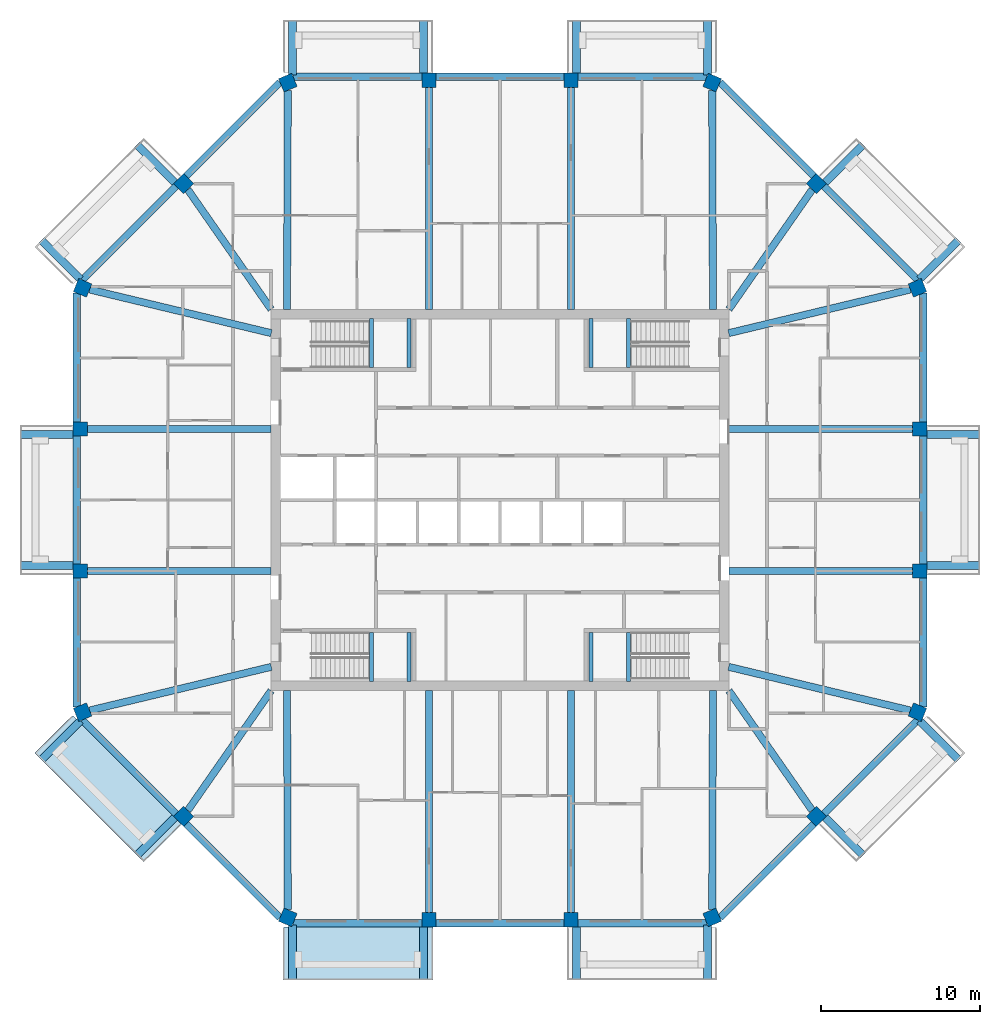
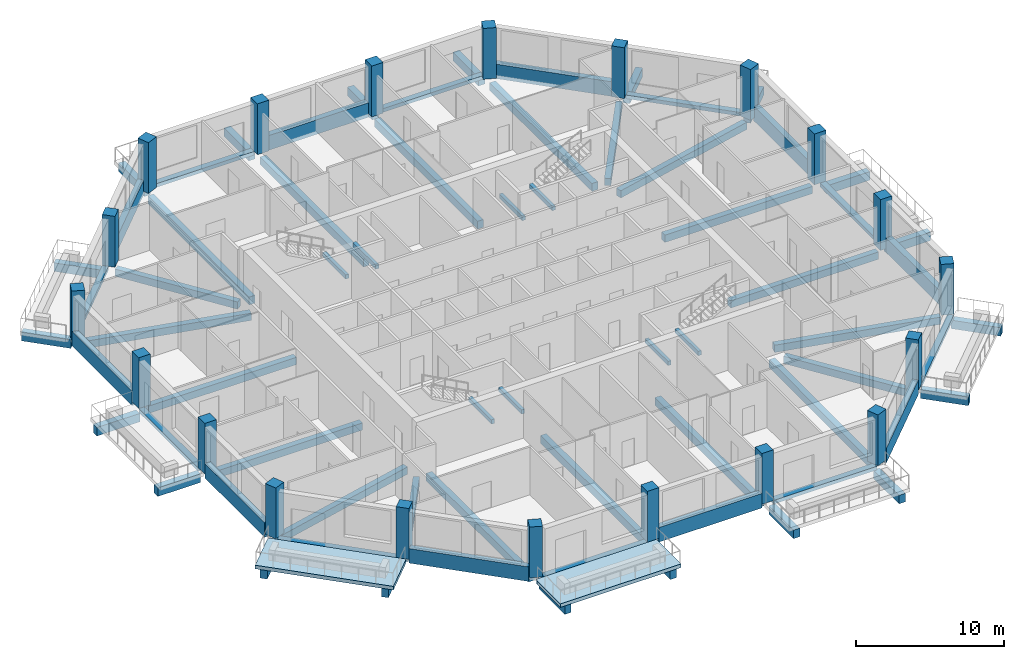
# One storey, part 1 of 12: 68 beams, 20 columns, 2 slabs.
"""IFC4 building model written with IfcOpenShell, lengths in metres."""

from ifc_helpers import new_model, si_unit, direction, frame, origin, origin_2d, place, context, subcontext, project, spatial, polyline, rectangle, outline, extrude, material, layer, layer_set, material_profile, profile_set, type_object, element, save


model = new_model("IFC4")

# Units and contexts
model_context = context("Model", 3, precision=1e-05, world=origin(), true_north=direction((0.0, 1.0)))
body_context = subcontext(model_context, "Body", "Model", "MODEL_VIEW")
ifc_project = project(units=[si_unit("LENGTHUNIT", "METRE"), si_unit("AREAUNIT", "SQUARE_METRE"), si_unit("VOLUMEUNIT", "CUBIC_METRE"), si_unit("PLANEANGLEUNIT", "RADIAN"), si_unit("MASSUNIT", "GRAM", prefix="KILO")], contexts=[model_context])

# Site, building, storey
site_placement = place(None, origin())
site = spatial("IfcSite", under=ifc_project, at=site_placement, CompositionType="ELEMENT")
building_placement = place(site_placement, origin())
building = spatial("IfcBuilding", under=site, at=building_placement, Name="Msitu Wima Residences", CompositionType="ELEMENT")
storey_placement = place(building_placement, frame((0.0, 0.0, 247.5)))
storey = spatial("IfcBuildingStorey", under=building, at=storey_placement, Name="L57", CompositionType="ELEMENT", Elevation=247.5)

# Columns
ifc_material_1 = material(Name="Concrete C50/60", Category="concrete")
ifc_material_profile_1 = material_profile(ifc_material_1, rectangle(XDim=0.89990234375, YDim=0.89990234375, at=origin_2d()), Name="RC 900x900")
ifc_profile_set_1 = profile_set([ifc_material_profile_1], Name="Concrete C50/60")
column_type = type_object("IfcColumnType", Name="Column RC 900x900 Concrete C50/60", PredefinedType="COLUMN", material=ifc_profile_set_1)
for number, where, z_axis, x_axis, name in (
    (1, (26.261962890625, -13.3486328125, 0.0), (0.0, 0.0, 1.0), (0.382683496864, 0.923879505795, 0.0), "Column L57 C-E0"),
    (2, (26.39990234375, -4.46875, 0.0), (0.0, 0.0, 1.0), (0.0, 1.0, 0.0), "Column L57 C-E1"),
    (3, (26.39990234375, 4.46875, 0.0), (0.0, 0.0, 1.0), (0.0, 1.0, 0.0), "Column L57 C-E2"),
    (4, (26.261962890625, 13.3486328125, 0.0), (0.0, 0.0, 1.0), (-0.382683496864, 0.923879505795, 0.0), "Column L57 C-NE0"),
    (5, (19.90283203125, 19.90283203125, 0.0), (0.0, 0.0, 1.0), (-0.707106781187, 0.707106781187, 0.0), "Column L57 C-NE1"),
    (6, (13.3486328125, 26.261962890625, 0.0), (0.0, 0.0, 1.0), (-0.923879505795, 0.382683496864, 0.0), "Column L57 C-N0"),
    (7, (4.46875, 26.39990234375, 0.0), (0.0, 0.0, 1.0), (-1.0, 0.0, 0.0), "Column L57 C-N1"),
    (8, (-4.46875, 26.39990234375, 0.0), (0.0, 0.0, 1.0), (-1.0, 0.0, 0.0), "Column L57 C-N2"),
    (9, (-13.3486328125, 26.261962890625, 0.0), (0.0, 0.0, 1.0), (-0.923879505795, -0.382683496864, 0.0), "Column L57 C-NW0"),
    (10, (-19.90283203125, 19.90283203125, 0.0), (0.0, 0.0, 1.0), (-0.707106781187, -0.707106781187, 0.0), "Column L57 C-NW1"),
    (11, (-26.261962890625, 13.3486328125, 0.0), (0.0, 0.0, 1.0), (-0.382683496864, -0.923879505795, 0.0), "Column L57 C-W0"),
    (12, (-26.39990234375, 4.46875, 0.0), (0.0, 0.0, 1.0), (0.0, -1.0, 0.0), "Column L57 C-W1"),
    (13, (-26.39990234375, -4.46875, 0.0), (0.0, 0.0, 1.0), (0.0, -1.0, 0.0), "Column L57 C-W2"),
    (14, (-26.261962890625, -13.3486328125, 0.0), (0.0, 0.0, 1.0), (0.382683496864, -0.923879505795, 0.0), "Column L57 C-SW0"),
    (15, (-19.90283203125, -19.90283203125, 0.0), (0.0, 0.0, 1.0), (0.707106781187, -0.707106781187, 0.0), "Column L57 C-SW1"),
    (16, (-13.3486328125, -26.261962890625, 0.0), (0.0, 0.0, 1.0), (0.923879505795, -0.382683496864, 0.0), "Column L57 C-S0"),
    (17, (-4.46875, -26.39990234375, 0.0), (0.0, 0.0, 1.0), (1.0, 0.0, 0.0), "Column L57 C-S1"),
    (18, (4.46875, -26.39990234375, 0.0), (0.0, 0.0, 1.0), (1.0, 0.0, 0.0), "Column L57 C-S2"),
    (19, (13.3486328125, -26.261962890625, 0.0), (0.0, 0.0, 1.0), (0.923879505795, 0.382683496864, 0.0), "Column L57 C-SE0"),
    (20, (19.90283203125, -19.90283203125, 0.0), (0.0, 0.0, 1.0), (0.707106781187, 0.707106781187, 0.0), "Column L57 C-SE1"),
):
    element("IfcColumn", number, at=place(storey_placement, frame(where, z_axis=z_axis, x_axis=x_axis)), inside=storey, type_object=column_type, Name=name, PredefinedType="COLUMN", context=body_context, shape_type="SweptSolid", body=[
        extrude(rectangle(XDim=0.89990234375, YDim=0.89990234375, at=origin_2d()), origin(), (0.0, 0.0, 1.0), 4.199951171875),
    ])

# Beams
ifc_material_profile_2 = material_profile(ifc_material_1, rectangle(XDim=0.449951171875, YDim=0.60009765625, at=origin_2d()), Name="RC 450x600")
ifc_profile_set_2 = profile_set([ifc_material_profile_2], Name="Concrete C50/60")
beam_type_1 = type_object("IfcBeamType", Name="Beam RC 450x600 Concrete C50/60", PredefinedType="BEAM", material=ifc_profile_set_2)
beam_1_placement = place(storey_placement, frame((25.819091796875, -13.242431640625, -0.550048828125), z_axis=(-0.972353359268, 0.233514335148, 0.0), x_axis=(-0.233514335148, -0.972353359268, 0.0)))
element("IfcBeam", 21, at=beam_1_placement, inside=storey, type_object=beam_type_1, Name="Beam L57 C-E0", PredefinedType="BEAM", context=body_context, shape_type="SweptSolid", body=[
    extrude(rectangle(XDim=0.449951171875, YDim=0.60009765625, at=origin_2d()), origin(), (0.0, 0.0, 1.0), 11.755615234375),
])
for number, where, z_axis, x_axis, name in (
    (22, (25.949951171875, -4.46875, -0.550048828125), (-1.0, 0.0, 0.0), (0.0, -1.0, 0.0), "Beam L57 C-E1"),
    (23, (25.949951171875, 4.46875, -0.550048828125), (-1.0, 0.0, 0.0), (0.0, -1.0, 0.0), "Beam L57 C-E2"),
):
    element("IfcBeam", number, at=place(storey_placement, frame(where, z_axis=z_axis, x_axis=x_axis)), inside=storey, type_object=beam_type_1, Name=name, PredefinedType="BEAM", context=body_context, shape_type="SweptSolid", body=[
        extrude(rectangle(XDim=0.449951171875, YDim=0.60009765625, at=origin_2d()), origin(), (0.0, 0.0, 1.0), 11.550048828125),
    ])
beam_2_placement = place(storey_placement, frame((25.819091796875, 13.242431640625, -0.550048828125), z_axis=(-0.972353359268, -0.233514335148, 0.0), x_axis=(0.233514335148, -0.972353359268, 0.0)))
element("IfcBeam", 24, at=beam_2_placement, inside=storey, type_object=beam_type_1, Name="Beam L57 C-NE0", PredefinedType="BEAM", context=body_context, shape_type="SweptSolid", body=[
    extrude(rectangle(XDim=0.449951171875, YDim=0.60009765625, at=origin_2d()), origin(), (0.0, 0.0, 1.0), 11.755615234375),
])
for number, where, z_axis, x_axis, name in (
    (25, (19.6416015625, 19.52783203125, -0.550048828125), (-0.571427822633, -0.820652328042, 0.0), (0.820652328042, -0.571427822633, 0.0), "Beam L57 C-NE1"),
    (26, (-19.6416015625, 19.52783203125, -0.550048828125), (0.571427822633, -0.820652328042, 0.0), (0.820652328042, 0.571427822633, 0.0), "Beam L57 C-NW1"),
):
    element("IfcBeam", number, at=place(storey_placement, frame(where, z_axis=z_axis, x_axis=x_axis)), inside=storey, type_object=beam_type_1, Name=name, PredefinedType="BEAM", context=body_context, shape_type="SweptSolid", body=[
        extrude(rectangle(XDim=0.449951171875, YDim=0.60009765625, at=origin_2d()), origin(), (0.0, 0.0, 1.0), 9.173095703125),
    ])
beam_3_placement = place(storey_placement, frame((-25.819091796875, 13.242431640625, -0.550048828125), z_axis=(0.972353359268, -0.233514335148, 0.0), x_axis=(0.233514335148, 0.972353359268, 0.0)))
element("IfcBeam", 27, at=beam_3_placement, inside=storey, type_object=beam_type_1, Name="Beam L57 C-W0", PredefinedType="BEAM", context=body_context, shape_type="SweptSolid", body=[
    extrude(rectangle(XDim=0.449951171875, YDim=0.60009765625, at=origin_2d()), origin(), (0.0, 0.0, 1.0), 11.755615234375),
])
for number, where, z_axis, x_axis, name in (
    (28, (-25.949951171875, 4.46875, -0.550048828125), (1.0, 0.0, 0.0), (0.0, 1.0, 0.0), "Beam L57 C-W1"),
    (29, (-25.949951171875, -4.46875, -0.550048828125), (1.0, 0.0, 0.0), (0.0, 1.0, 0.0), "Beam L57 C-W2"),
):
    element("IfcBeam", number, at=place(storey_placement, frame(where, z_axis=z_axis, x_axis=x_axis)), inside=storey, type_object=beam_type_1, Name=name, PredefinedType="BEAM", context=body_context, shape_type="SweptSolid", body=[
        extrude(rectangle(XDim=0.449951171875, YDim=0.60009765625, at=origin_2d()), origin(), (0.0, 0.0, 1.0), 11.550048828125),
    ])
beam_4_placement = place(storey_placement, frame((-25.819091796875, -13.242431640625, -0.550048828125), z_axis=(0.972353359268, 0.233514335148, 0.0), x_axis=(-0.233514335148, 0.972353359268, 0.0)))
element("IfcBeam", 30, at=beam_4_placement, inside=storey, type_object=beam_type_1, Name="Beam L57 C-SW0", PredefinedType="BEAM", context=body_context, shape_type="SweptSolid", body=[
    extrude(rectangle(XDim=0.449951171875, YDim=0.60009765625, at=origin_2d()), origin(), (0.0, 0.0, 1.0), 11.755615234375),
])
for number, where, z_axis, x_axis, name in (
    (31, (-19.6416015625, -19.52783203125, -0.550048828125), (0.571427822633, 0.820652328042, 0.0), (-0.820652328042, 0.571427822633, 0.0), "Beam L57 C-SW1"),
    (32, (19.6416015625, -19.52783203125, -0.550048828125), (-0.571427822633, 0.820652328042, 0.0), (-0.820652328042, -0.571427822633, 0.0), "Beam L57 C-SE1"),
):
    element("IfcBeam", number, at=place(storey_placement, frame(where, z_axis=z_axis, x_axis=x_axis)), inside=storey, type_object=beam_type_1, Name=name, PredefinedType="BEAM", context=body_context, shape_type="SweptSolid", body=[
        extrude(rectangle(XDim=0.449951171875, YDim=0.60009765625, at=origin_2d()), origin(), (0.0, 0.0, 1.0), 9.173095703125),
    ])
ifc_material_profile_3 = material_profile(ifc_material_1, rectangle(XDim=0.449951171875, YDim=0.64990234375, at=origin_2d()), Name="RC 450x650")
ifc_profile_set_3 = profile_set([ifc_material_profile_3], Name="Concrete C50/60")
beam_type_2 = type_object("IfcBeamType", Name="Beam RC 450x650 Concrete C50/60", PredefinedType="BEAM", material=ifc_profile_set_3)
beam_5_placement = place(storey_placement, frame((13.3505859375, 25.774169921875, -0.574951171875), z_axis=(0.003594933206, -0.999993538207, 0.0), x_axis=(0.999993538207, 0.003594933206, 0.0)))
element("IfcBeam", 33, at=beam_5_placement, inside=storey, type_object=beam_type_2, Name="Beam L57 C-N0", PredefinedType="BEAM", context=body_context, shape_type="SweptSolid", body=[
    extrude(rectangle(XDim=0.449951171875, YDim=0.64990234375, at=origin_2d()), origin(), (0.0, 0.0, 1.0), 13.7861328125),
])
for number, where, z_axis, x_axis, name in (
    (34, (4.46875, 25.949951171875, -0.574951171875), (0.0, -1.0, 0.0), (1.0, 0.0, 0.0), "Beam L57 C-N1"),
    (35, (-4.46875, 25.949951171875, -0.574951171875), (0.0, -1.0, 0.0), (1.0, 0.0, 0.0), "Beam L57 C-N2"),
):
    element("IfcBeam", number, at=place(storey_placement, frame(where, z_axis=z_axis, x_axis=x_axis)), inside=storey, type_object=beam_type_2, Name=name, PredefinedType="BEAM", context=body_context, shape_type="SweptSolid", body=[
        extrude(rectangle(XDim=0.449951171875, YDim=0.64990234375, at=origin_2d()), origin(), (0.0, 0.0, 1.0), 13.949951171875),
    ])
for number, where, z_axis, x_axis, name in (
    (36, (-13.3505859375, 25.774169921875, -0.574951171875), (-0.003594933206, -0.999993538207, 0.0), (0.999993538207, -0.003594933206, 0.0), "Beam L57 C-NW0"),
    (37, (-13.3505859375, -25.774169921875, -0.574951171875), (-0.003594933206, 0.999993538207, 0.0), (-0.999993538207, -0.003594933206, 0.0), "Beam L57 C-S0"),
):
    element("IfcBeam", number, at=place(storey_placement, frame(where, z_axis=z_axis, x_axis=x_axis)), inside=storey, type_object=beam_type_2, Name=name, PredefinedType="BEAM", context=body_context, shape_type="SweptSolid", body=[
        extrude(rectangle(XDim=0.449951171875, YDim=0.64990234375, at=origin_2d()), origin(), (0.0, 0.0, 1.0), 13.7861328125),
    ])
for number, where, z_axis, x_axis, name in (
    (38, (-4.46875, -25.949951171875, -0.574951171875), (0.0, 1.0, 0.0), (-1.0, 0.0, 0.0), "Beam L57 C-S1"),
    (39, (4.46875, -25.949951171875, -0.574951171875), (0.0, 1.0, 0.0), (-1.0, 0.0, 0.0), "Beam L57 C-S2"),
):
    element("IfcBeam", number, at=place(storey_placement, frame(where, z_axis=z_axis, x_axis=x_axis)), inside=storey, type_object=beam_type_2, Name=name, PredefinedType="BEAM", context=body_context, shape_type="SweptSolid", body=[
        extrude(rectangle(XDim=0.449951171875, YDim=0.64990234375, at=origin_2d()), origin(), (0.0, 0.0, 1.0), 13.949951171875),
    ])
beam_6_placement = place(storey_placement, frame((13.3505859375, -25.774169921875, -0.574951171875), z_axis=(0.003594933206, 0.999993538207, 0.0), x_axis=(-0.999993538207, 0.003594933206, 0.0)))
element("IfcBeam", 40, at=beam_6_placement, inside=storey, type_object=beam_type_2, Name="Beam L57 C-SE0", PredefinedType="BEAM", context=body_context, shape_type="SweptSolid", body=[
    extrude(rectangle(XDim=0.449951171875, YDim=0.64990234375, at=origin_2d()), origin(), (0.0, 0.0, 1.0), 13.7861328125),
])
ifc_material_profile_4 = material_profile(ifc_material_1, rectangle(XDim=0.5, YDim=0.699951171875, at=origin_2d()), Name="RC 500x700")
ifc_profile_set_4 = profile_set([ifc_material_profile_4], Name="Concrete C50/60")
beam_type_3 = type_object("IfcBeamType", Name="Cantilever beam RC 500x700 Concrete C50/60", PredefinedType="BEAM", material=ifc_profile_set_4)
for number, where, z_axis, x_axis, name in (
    (41, (26.85009765625, -4.11865234375, -0.64990234375), (1.0, 0.0, 0.0), (0.0, 1.0, 0.0), "Cantilever beam L57 BA-E1 A"),
    (42, (26.85009765625, 4.11865234375, -0.64990234375), (1.0, 0.0, 0.0), (0.0, 1.0, 0.0), "Cantilever beam L57 BA-E1 B"),
):
    element("IfcBeam", number, at=place(storey_placement, frame(where, z_axis=z_axis, x_axis=x_axis)), inside=storey, type_object=beam_type_3, Name=name, PredefinedType="BEAM", context=body_context, shape_type="SweptSolid", body=[
        extrude(rectangle(XDim=0.5, YDim=0.699951171875, at=origin_2d()), origin(), (0.0, 0.0, 1.0), 3.349853515625),
    ])
beam_7_placement = place(storey_placement, frame((26.386474609375, 13.887451171875, -0.64990234375), z_axis=(0.707141968506, 0.707071592116, 0.0), x_axis=(-0.707071592116, 0.707141968506, 0.0)))
element("IfcBeam", 43, at=beam_7_placement, inside=storey, type_object=beam_type_3, Name="Cantilever beam L57 BA-NE0 A", PredefinedType="BEAM", context=body_context, shape_type="SweptSolid", body=[
    extrude(rectangle(XDim=0.5, YDim=0.699951171875, at=origin_2d()), origin(), (0.0, 0.0, 1.0), 3.468994140625),
])
beam_8_placement = place(storey_placement, frame((20.46875, 19.9736328125, -0.64990234375), z_axis=(0.707070340836, 0.707143219659, 0.0), x_axis=(-0.707143219659, 0.707070340836, 0.0)))
element("IfcBeam", 44, at=beam_8_placement, inside=storey, type_object=beam_type_3, Name="Cantilever beam L57 BA-NE0 B", PredefinedType="BEAM", context=body_context, shape_type="SweptSolid", body=[
    extrude(rectangle(XDim=0.5, YDim=0.699951171875, at=origin_2d()), origin(), (0.0, 0.0, 1.0), 3.349853515625),
])
beam_9_placement = place(storey_placement, frame((13.055908203125, 26.73095703125, -0.64990234375), z_axis=(0.0, 1.0, 0.0), x_axis=(-1.0, 0.0, 0.0)))
element("IfcBeam", 45, at=beam_9_placement, inside=storey, type_object=beam_type_3, Name="Cantilever beam L57 BA-N0 A", PredefinedType="BEAM", context=body_context, shape_type="SweptSolid", body=[
    extrude(rectangle(XDim=0.5, YDim=0.699951171875, at=origin_2d()), origin(), (0.0, 0.0, 1.0), 3.468994140625),
])
for number, where, z_axis, x_axis, name in (
    (46, (4.818603515625, 26.85009765625, -0.64990234375), (0.0, 1.0, 0.0), (-1.0, 0.0, 0.0), "Cantilever beam L57 BA-N0 B"),
    (47, (-4.818603515625, 26.85009765625, -0.64990234375), (0.0, 1.0, 0.0), (-1.0, 0.0, 0.0), "Cantilever beam L57 BA-N2 A"),
):
    element("IfcBeam", number, at=place(storey_placement, frame(where, z_axis=z_axis, x_axis=x_axis)), inside=storey, type_object=beam_type_3, Name=name, PredefinedType="BEAM", context=body_context, shape_type="SweptSolid", body=[
        extrude(rectangle(XDim=0.5, YDim=0.699951171875, at=origin_2d()), origin(), (0.0, 0.0, 1.0), 3.349853515625),
    ])
beam_10_placement = place(storey_placement, frame((-13.055908203125, 26.73095703125, -0.64990234375), z_axis=(0.0, 1.0, 0.0), x_axis=(-1.0, 0.0, 0.0)))
element("IfcBeam", 48, at=beam_10_placement, inside=storey, type_object=beam_type_3, Name="Cantilever beam L57 BA-N2 B", PredefinedType="BEAM", context=body_context, shape_type="SweptSolid", body=[
    extrude(rectangle(XDim=0.5, YDim=0.699951171875, at=origin_2d()), origin(), (0.0, 0.0, 1.0), 3.468994140625),
])
beam_11_placement = place(storey_placement, frame((-20.46875, 19.9736328125, -0.64990234375), z_axis=(-0.707070340836, 0.707143219659, 0.0), x_axis=(-0.707143219659, -0.707070340836, 0.0)))
element("IfcBeam", 49, at=beam_11_placement, inside=storey, type_object=beam_type_3, Name="Cantilever beam L57 BA-NW1 A", PredefinedType="BEAM", context=body_context, shape_type="SweptSolid", body=[
    extrude(rectangle(XDim=0.5, YDim=0.699951171875, at=origin_2d()), origin(), (0.0, 0.0, 1.0), 3.349853515625),
])
beam_12_placement = place(storey_placement, frame((-26.386474609375, 13.887451171875, -0.64990234375), z_axis=(-0.707141968506, 0.707071592116, 0.0), x_axis=(-0.707071592116, -0.707141968506, 0.0)))
element("IfcBeam", 50, at=beam_12_placement, inside=storey, type_object=beam_type_3, Name="Cantilever beam L57 BA-NW1 B", PredefinedType="BEAM", context=body_context, shape_type="SweptSolid", body=[
    extrude(rectangle(XDim=0.5, YDim=0.699951171875, at=origin_2d()), origin(), (0.0, 0.0, 1.0), 3.468994140625),
])
for number, where, z_axis, x_axis, name in (
    (51, (-26.85009765625, 4.11865234375, -0.64990234375), (-1.0, 0.0, 0.0), (0.0, -1.0, 0.0), "Cantilever beam L57 BA-W1 A"),
    (52, (-26.85009765625, -4.11865234375, -0.64990234375), (-1.0, 0.0, 0.0), (0.0, -1.0, 0.0), "Cantilever beam L57 BA-W1 B"),
):
    element("IfcBeam", number, at=place(storey_placement, frame(where, z_axis=z_axis, x_axis=x_axis)), inside=storey, type_object=beam_type_3, Name=name, PredefinedType="BEAM", context=body_context, shape_type="SweptSolid", body=[
        extrude(rectangle(XDim=0.5, YDim=0.699951171875, at=origin_2d()), origin(), (0.0, 0.0, 1.0), 3.349853515625),
    ])
beam_13_placement = place(storey_placement, frame((-26.386474609375, -13.887451171875, -0.64990234375), z_axis=(-0.707141968506, -0.707071592116, 0.0), x_axis=(0.707071592116, -0.707141968506, 0.0)))
element("IfcBeam", 53, at=beam_13_placement, inside=storey, type_object=beam_type_3, Name="Cantilever beam L57 BA-SW0 A", PredefinedType="BEAM", context=body_context, shape_type="SweptSolid", body=[
    extrude(rectangle(XDim=0.5, YDim=0.699951171875, at=origin_2d()), origin(), (0.0, 0.0, 1.0), 3.468994140625),
])
beam_14_placement = place(storey_placement, frame((-20.46875, -19.9736328125, -0.64990234375), z_axis=(-0.707070340836, -0.707143219659, 0.0), x_axis=(0.707143219659, -0.707070340836, 0.0)))
element("IfcBeam", 54, at=beam_14_placement, inside=storey, type_object=beam_type_3, Name="Cantilever beam L57 BA-SW0 B", PredefinedType="BEAM", context=body_context, shape_type="SweptSolid", body=[
    extrude(rectangle(XDim=0.5, YDim=0.699951171875, at=origin_2d()), origin(), (0.0, 0.0, 1.0), 3.349853515625),
])
beam_15_placement = place(storey_placement, frame((-13.055908203125, -26.73095703125, -0.64990234375), z_axis=(0.0, -1.0, 0.0), x_axis=(1.0, 0.0, 0.0)))
element("IfcBeam", 55, at=beam_15_placement, inside=storey, type_object=beam_type_3, Name="Cantilever beam L57 BA-S0 A", PredefinedType="BEAM", context=body_context, shape_type="SweptSolid", body=[
    extrude(rectangle(XDim=0.5, YDim=0.699951171875, at=origin_2d()), origin(), (0.0, 0.0, 1.0), 3.468994140625),
])
for number, where, z_axis, x_axis, name in (
    (56, (-4.818603515625, -26.85009765625, -0.64990234375), (0.0, -1.0, 0.0), (1.0, 0.0, 0.0), "Cantilever beam L57 BA-S0 B"),
    (57, (4.818603515625, -26.85009765625, -0.64990234375), (0.0, -1.0, 0.0), (1.0, 0.0, 0.0), "Cantilever beam L57 BA-S2 A"),
):
    element("IfcBeam", number, at=place(storey_placement, frame(where, z_axis=z_axis, x_axis=x_axis)), inside=storey, type_object=beam_type_3, Name=name, PredefinedType="BEAM", context=body_context, shape_type="SweptSolid", body=[
        extrude(rectangle(XDim=0.5, YDim=0.699951171875, at=origin_2d()), origin(), (0.0, 0.0, 1.0), 3.349853515625),
    ])
beam_16_placement = place(storey_placement, frame((13.055908203125, -26.73095703125, -0.64990234375), z_axis=(0.0, -1.0, 0.0), x_axis=(1.0, 0.0, 0.0)))
element("IfcBeam", 58, at=beam_16_placement, inside=storey, type_object=beam_type_3, Name="Cantilever beam L57 BA-S2 B", PredefinedType="BEAM", context=body_context, shape_type="SweptSolid", body=[
    extrude(rectangle(XDim=0.5, YDim=0.699951171875, at=origin_2d()), origin(), (0.0, 0.0, 1.0), 3.468994140625),
])
beam_17_placement = place(storey_placement, frame((20.46875, -19.9736328125, -0.64990234375), z_axis=(0.707070340836, -0.707143219659, 0.0), x_axis=(0.707143219659, 0.707070340836, 0.0)))
element("IfcBeam", 59, at=beam_17_placement, inside=storey, type_object=beam_type_3, Name="Cantilever beam L57 BA-SE1 A", PredefinedType="BEAM", context=body_context, shape_type="SweptSolid", body=[
    extrude(rectangle(XDim=0.5, YDim=0.699951171875, at=origin_2d()), origin(), (0.0, 0.0, 1.0), 3.349853515625),
])
beam_18_placement = place(storey_placement, frame((26.386474609375, -13.887451171875, -0.64990234375), z_axis=(0.707141968506, -0.707071592116, 0.0), x_axis=(0.707071592116, 0.707141968506, 0.0)))
element("IfcBeam", 60, at=beam_18_placement, inside=storey, type_object=beam_type_3, Name="Cantilever beam L57 BA-SE1 B", PredefinedType="BEAM", context=body_context, shape_type="SweptSolid", body=[
    extrude(rectangle(XDim=0.5, YDim=0.699951171875, at=origin_2d()), origin(), (0.0, 0.0, 1.0), 3.468994140625),
])
ifc_material_profile_5 = material_profile(ifc_material_1, rectangle(XDim=0.449951171875, YDim=0.300048828125, at=origin_2d()), Name="RC 450x300")
ifc_profile_set_5 = profile_set([ifc_material_profile_5], Name="Concrete C50/60")
beam_type_4 = type_object("IfcBeamType", Name="Edge beam RC 450x300 Concrete C50/60", PredefinedType="SPANDREL", material=ifc_profile_set_5)
beam_19_placement = place(storey_placement, frame((26.625, -4.0185546875, -0.14990234375), z_axis=(0.0, 1.0, 0.0), x_axis=(-1.0, 0.0, 0.0)))
element("IfcBeam", 61, at=beam_19_placement, inside=storey, type_object=beam_type_4, Name="Spandrel L57 E1", PredefinedType="SPANDREL", context=body_context, shape_type="SweptSolid", body=[
    extrude(rectangle(XDim=0.449951171875, YDim=0.300048828125, at=origin_2d()), origin(), (0.0, 0.0, 1.0), 8.037109375),
])
beam_20_placement = place(storey_placement, frame((26.2890625, 13.8349609375, -0.14990234375), z_axis=(-0.707106781187, 0.707106781187, 0.0), x_axis=(-0.707106781187, -0.707106781187, 0.0)))
element("IfcBeam", 62, at=beam_20_placement, inside=storey, type_object=beam_type_4, Name="Spandrel L57 NE0", PredefinedType="SPANDREL", context=body_context, shape_type="SweptSolid", body=[
    extrude(rectangle(XDim=0.449951171875, YDim=0.300048828125, at=origin_2d()), origin(), (0.0, 0.0, 1.0), 8.3564453125),
])
for number, where, z_axis, x_axis, name in (
    (63, (13.02392578125, 26.625, -0.14990234375), (-1.0, 0.0, 0.0), (0.0, -1.0, 0.0), "Spandrel L57 N0"),
    (64, (-4.918701171875, 26.625, -0.14990234375), (-1.0, 0.0, 0.0), (0.0, -1.0, 0.0), "Spandrel L57 N2"),
):
    element("IfcBeam", number, at=place(storey_placement, frame(where, z_axis=z_axis, x_axis=x_axis)), inside=storey, type_object=beam_type_4, Name=name, PredefinedType="SPANDREL", context=body_context, shape_type="SweptSolid", body=[
        extrude(rectangle(XDim=0.449951171875, YDim=0.300048828125, at=origin_2d()), origin(), (0.0, 0.0, 1.0), 8.105224609375),
    ])
beam_21_placement = place(storey_placement, frame((-20.380126953125, 19.743896484375, -0.14990234375), z_axis=(-0.707106781187, -0.707106781187, 0.0), x_axis=(0.707106781187, -0.707106781187, 0.0)))
element("IfcBeam", 65, at=beam_21_placement, inside=storey, type_object=beam_type_4, Name="Spandrel L57 NW1", PredefinedType="SPANDREL", context=body_context, shape_type="SweptSolid", body=[
    extrude(rectangle(XDim=0.449951171875, YDim=0.300048828125, at=origin_2d()), origin(), (0.0, 0.0, 1.0), 8.3564453125),
])
beam_22_placement = place(storey_placement, frame((-26.625, 4.0185546875, -0.14990234375), z_axis=(0.0, -1.0, 0.0), x_axis=(1.0, 0.0, 0.0)))
element("IfcBeam", 66, at=beam_22_placement, inside=storey, type_object=beam_type_4, Name="Spandrel L57 W1", PredefinedType="SPANDREL", context=body_context, shape_type="SweptSolid", body=[
    extrude(rectangle(XDim=0.449951171875, YDim=0.300048828125, at=origin_2d()), origin(), (0.0, 0.0, 1.0), 8.037109375),
])
beam_23_placement = place(storey_placement, frame((-26.2890625, -13.8349609375, -0.14990234375), z_axis=(0.707106781187, -0.707106781187, 0.0), x_axis=(0.707106781187, 0.707106781187, 0.0)))
element("IfcBeam", 67, at=beam_23_placement, inside=storey, type_object=beam_type_4, Name="Spandrel L57 SW0", PredefinedType="SPANDREL", context=body_context, shape_type="SweptSolid", body=[
    extrude(rectangle(XDim=0.449951171875, YDim=0.300048828125, at=origin_2d()), origin(), (0.0, 0.0, 1.0), 8.3564453125),
])
for number, where, z_axis, x_axis, name in (
    (68, (-13.02392578125, -26.625, -0.14990234375), (1.0, 0.0, 0.0), (0.0, 1.0, 0.0), "Spandrel L57 S0"),
    (69, (4.918701171875, -26.625, -0.14990234375), (1.0, 0.0, 0.0), (0.0, 1.0, 0.0), "Spandrel L57 S2"),
):
    element("IfcBeam", number, at=place(storey_placement, frame(where, z_axis=z_axis, x_axis=x_axis)), inside=storey, type_object=beam_type_4, Name=name, PredefinedType="SPANDREL", context=body_context, shape_type="SweptSolid", body=[
        extrude(rectangle(XDim=0.449951171875, YDim=0.300048828125, at=origin_2d()), origin(), (0.0, 0.0, 1.0), 8.105224609375),
    ])
beam_24_placement = place(storey_placement, frame((20.380126953125, -19.743896484375, -0.14990234375), z_axis=(0.707106781187, 0.707106781187, 0.0), x_axis=(-0.707106781187, 0.707106781187, 0.0)))
element("IfcBeam", 70, at=beam_24_placement, inside=storey, type_object=beam_type_4, Name="Spandrel L57 SE1", PredefinedType="SPANDREL", context=body_context, shape_type="SweptSolid", body=[
    extrude(rectangle(XDim=0.449951171875, YDim=0.300048828125, at=origin_2d()), origin(), (0.0, 0.0, 1.0), 8.3564453125),
])
ifc_material_2 = material(Name="Concrete C40/50", Category="concrete")
ifc_material_profile_6 = material_profile(ifc_material_2, rectangle(XDim=0.25, YDim=0.35009765625, at=origin_2d()), Name="RC 250x350")
ifc_profile_set_6 = profile_set([ifc_material_profile_6], Name="Concrete C40/50")
beam_type_5 = type_object("IfcBeamType", Name="Landing beam RC 250x350", PredefinedType="BEAM", material=ifc_profile_set_6)
for number, where, z_axis, x_axis, name in (
    (71, (-8.074951171875, 8.324951171875, 1.72509765625), (0.0, 1.0, 0.0), (-1.0, 0.0, 0.0), "Stair 1 landing beam"),
    (72, (-5.72509765625, 8.324951171875, 1.72509765625), (0.0, 1.0, 0.0), (-1.0, 0.0, 0.0), "Stair 1 landing beam"),
    (73, (-8.074951171875, -11.425048828125, 1.72509765625), (0.0, 1.0, 0.0), (-1.0, 0.0, 0.0), "Stair 2 landing beam"),
    (74, (-5.72509765625, -11.425048828125, 1.72509765625), (0.0, 1.0, 0.0), (-1.0, 0.0, 0.0), "Stair 2 landing beam"),
    (75, (8.074951171875, 8.324951171875, 1.72509765625), (0.0, 1.0, 0.0), (-1.0, 0.0, 0.0), "Stair 3 landing beam"),
    (76, (5.72509765625, 8.324951171875, 1.72509765625), (0.0, 1.0, 0.0), (-1.0, 0.0, 0.0), "Stair 3 landing beam"),
    (77, (8.074951171875, -11.425048828125, 1.72509765625), (0.0, 1.0, 0.0), (-1.0, 0.0, 0.0), "Stair 4 landing beam"),
    (78, (5.72509765625, -11.425048828125, 1.72509765625), (0.0, 1.0, 0.0), (-1.0, 0.0, 0.0), "Stair 4 landing beam"),
):
    element("IfcBeam", number, at=place(storey_placement, frame(where, z_axis=z_axis, x_axis=x_axis)), inside=storey, type_object=beam_type_5, Name=name, PredefinedType="BEAM", context=body_context, shape_type="SweptSolid", body=[
        extrude(rectangle(XDim=0.25, YDim=0.35009765625, at=origin_2d()), origin(), (0.0, 0.0, 1.0), 3.10009765625),
    ])
ifc_material_profile_7 = material_profile(ifc_material_1, rectangle(XDim=0.449951171875, YDim=1.199951171875, at=origin_2d()), Name="RC 450x1200")
ifc_profile_set_7 = profile_set([ifc_material_profile_7], Name="Concrete C50/60")
beam_type_6 = type_object("IfcBeamType", Name="Spandrel RC 450x1200 Concrete C50/60", PredefinedType="SPANDREL", material=ifc_profile_set_7)
for number, where, z_axis, x_axis, name in (
    (79, (26.625, -13.02392578125, 0.300048828125), (0.0, 1.0, 0.0), (-1.0, 0.0, 0.0), "Spandrel L57 E0"),
    (80, (26.625, 4.918701171875, 0.300048828125), (0.0, 1.0, 0.0), (-1.0, 0.0, 0.0), "Spandrel L57 E2"),
):
    element("IfcBeam", number, at=place(storey_placement, frame(where, z_axis=z_axis, x_axis=x_axis)), inside=storey, type_object=beam_type_6, Name=name, PredefinedType="SPANDREL", context=body_context, shape_type="SweptSolid", body=[
        extrude(rectangle(XDim=0.449951171875, YDim=1.199951171875, at=origin_2d()), origin(), (0.0, 0.0, 1.0), 8.105224609375),
    ])
beam_25_placement = place(storey_placement, frame((19.743896484375, 20.380126953125, 0.300048828125), z_axis=(-0.707106781187, 0.707106781187, 0.0), x_axis=(-0.707106781187, -0.707106781187, 0.0)))
element("IfcBeam", 81, at=beam_25_placement, inside=storey, type_object=beam_type_6, Name="Spandrel L57 NE1", PredefinedType="SPANDREL", context=body_context, shape_type="SweptSolid", body=[
    extrude(rectangle(XDim=0.449951171875, YDim=1.199951171875, at=origin_2d()), origin(), (0.0, 0.0, 1.0), 8.3564453125),
])
beam_26_placement = place(storey_placement, frame((4.0185546875, 26.625, 0.300048828125), z_axis=(-1.0, 0.0, 0.0), x_axis=(0.0, -1.0, 0.0)))
element("IfcBeam", 82, at=beam_26_placement, inside=storey, type_object=beam_type_6, Name="Spandrel L57 N1", PredefinedType="SPANDREL", context=body_context, shape_type="SweptSolid", body=[
    extrude(rectangle(XDim=0.449951171875, YDim=1.199951171875, at=origin_2d()), origin(), (0.0, 0.0, 1.0), 8.037109375),
])
beam_27_placement = place(storey_placement, frame((-13.8349609375, 26.2890625, 0.300048828125), z_axis=(-0.707106781187, -0.707106781187, 0.0), x_axis=(0.707106781187, -0.707106781187, 0.0)))
element("IfcBeam", 83, at=beam_27_placement, inside=storey, type_object=beam_type_6, Name="Spandrel L57 NW0", PredefinedType="SPANDREL", context=body_context, shape_type="SweptSolid", body=[
    extrude(rectangle(XDim=0.449951171875, YDim=1.199951171875, at=origin_2d()), origin(), (0.0, 0.0, 1.0), 8.3564453125),
])
for number, where, z_axis, x_axis, name in (
    (84, (-26.625, 13.02392578125, 0.300048828125), (0.0, -1.0, 0.0), (1.0, 0.0, 0.0), "Spandrel L57 W0"),
    (85, (-26.625, -4.918701171875, 0.300048828125), (0.0, -1.0, 0.0), (1.0, 0.0, 0.0), "Spandrel L57 W2"),
):
    element("IfcBeam", number, at=place(storey_placement, frame(where, z_axis=z_axis, x_axis=x_axis)), inside=storey, type_object=beam_type_6, Name=name, PredefinedType="SPANDREL", context=body_context, shape_type="SweptSolid", body=[
        extrude(rectangle(XDim=0.449951171875, YDim=1.199951171875, at=origin_2d()), origin(), (0.0, 0.0, 1.0), 8.105224609375),
    ])
beam_28_placement = place(storey_placement, frame((-19.743896484375, -20.380126953125, 0.300048828125), z_axis=(0.707106781187, -0.707106781187, 0.0), x_axis=(0.707106781187, 0.707106781187, 0.0)))
element("IfcBeam", 86, at=beam_28_placement, inside=storey, type_object=beam_type_6, Name="Spandrel L57 SW1", PredefinedType="SPANDREL", context=body_context, shape_type="SweptSolid", body=[
    extrude(rectangle(XDim=0.449951171875, YDim=1.199951171875, at=origin_2d()), origin(), (0.0, 0.0, 1.0), 8.3564453125),
])
beam_29_placement = place(storey_placement, frame((-4.0185546875, -26.625, 0.300048828125), z_axis=(1.0, 0.0, 0.0), x_axis=(0.0, 1.0, 0.0)))
element("IfcBeam", 87, at=beam_29_placement, inside=storey, type_object=beam_type_6, Name="Spandrel L57 S1", PredefinedType="SPANDREL", context=body_context, shape_type="SweptSolid", body=[
    extrude(rectangle(XDim=0.449951171875, YDim=1.199951171875, at=origin_2d()), origin(), (0.0, 0.0, 1.0), 8.037109375),
])
beam_30_placement = place(storey_placement, frame((13.8349609375, -26.2890625, 0.300048828125), z_axis=(0.707106781187, 0.707106781187, 0.0), x_axis=(-0.707106781187, 0.707106781187, 0.0)))
element("IfcBeam", 88, at=beam_30_placement, inside=storey, type_object=beam_type_6, Name="Spandrel L57 SE0", PredefinedType="SPANDREL", context=body_context, shape_type="SweptSolid", body=[
    extrude(rectangle(XDim=0.449951171875, YDim=1.199951171875, at=origin_2d()), origin(), (0.0, 0.0, 1.0), 8.3564453125),
])

# Slabs
ifc_layer = layer(ifc_material_2, 0.300048828125)
ifc_layer_set = layer_set([ifc_layer], Name="Concrete C40/50")
slab_type = type_object("IfcSlabType", Name="Balcony slab BS300", PredefinedType="FLOOR", material=ifc_layer_set)
slab_1_placement = place(storey_placement, frame((0.0, 0.0, -0.300048828125)))
element("IfcSlab", 89, at=slab_1_placement, inside=storey, type_object=slab_type, Name="Balcony SW0 L57", PredefinedType="FLOOR", context=body_context, shape_type="SweptSolid", body=[
    extrude(outline(polyline([(-26.505615234375, -13.936767578125), (-26.505615234375, -13.936767578125), (-20.04443359375, -20.39794921875), (-22.4130859375, -22.766845703125), (-29.263671875, -15.916015625), (-27.003662109375, -13.656005859375), (-26.85009765625, -13.59228515625), (-26.505615234375, -13.936767578125), (-26.505615234375, -13.936767578125)])), origin(), (0.0, 0.0, 1.0), 0.300048828125),
])
slab_2_placement = place(storey_placement, frame((0.0, 0.0, -0.300048828125)))
element("IfcSlab", 90, at=slab_2_placement, inside=storey, type_object=slab_type, Name="Balcony S0 L57", PredefinedType="FLOOR", context=body_context, shape_type="SweptSolid", body=[
    extrude(outline(polyline([(-13.105224609375, -26.85009765625), (-13.105224609375, -26.85009765625), (-4.918701171875, -26.85009765625), (-4.21875, -26.85009765625), (-4.21875, -30.199951171875), (-13.656005859375, -30.199951171875), (-13.656005859375, -27.003662109375), (-13.59228515625, -26.85009765625), (-13.105224609375, -26.85009765625), (-13.105224609375, -26.85009765625)])), origin(), (0.0, 0.0, 1.0), 0.300048828125),
])

save(model, "model.ifc")
